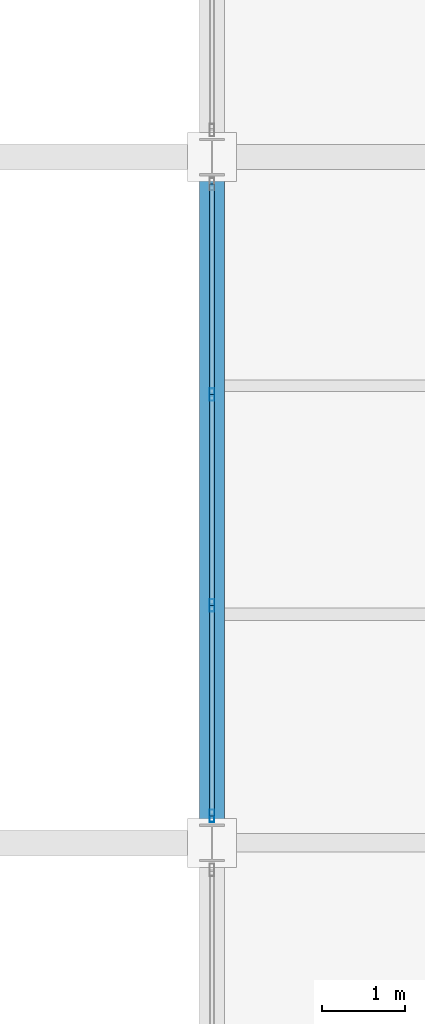
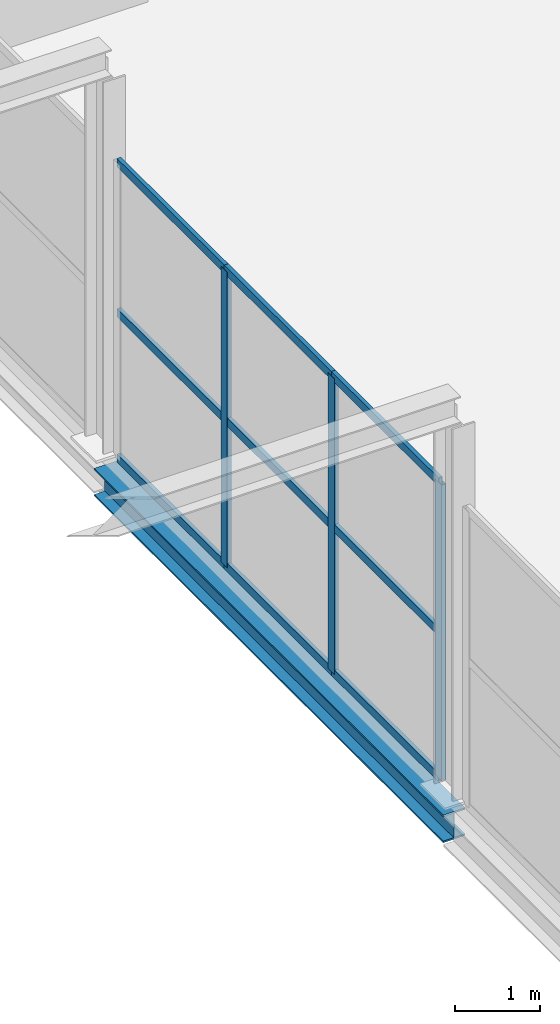
# One storey, part 22 of 147: 12 members, 1 beam, 1 element without a shape of its own.
"""IFC4 building model written with IfcOpenShell, lengths in metres."""

import ifcopenshell
import ifcopenshell.guid

model = None  # the IFC model being written
_history = None  # IfcOwnerHistory: only IFC2X3 demands one
_inside = {}  # id of a spatial element -> (the spatial element, [elements in it])
_under = {}  # id of a project, library or spatial element -> (it, [spatial elements below it])
_declared = {}  # id of a project -> (the project, [libraries it declares])
_typed = {}  # id of a type object -> (the type object, [elements of that type])
_made_of = {}  # id of a material, layer set ... -> (it, [elements and type objects made of it])


def new_model(schema):
    """Start an empty IFC model of exactly this schema.

    Asked for "IFC4X3", IfcOpenShell would pick the latest addendum, in which some entities
    have other attributes; the version numbers below select the first issue.
    IFC2X3 requires an IfcOwnerHistory on every rooted entity: one is made here for all.
    """
    global model, _history
    if schema == "IFC4X3":
        model = ifcopenshell.file(schema_version=(4, 3, 0, 0))
    else:
        model = ifcopenshell.file(schema=schema)
    _inside.clear()
    _under.clear()
    _declared.clear()
    _typed.clear()
    _made_of.clear()
    _history = None
    if model.schema == "IFC2X3":
        org = make("IfcOrganization", Name="unknown")
        user = make(
            "IfcPersonAndOrganization",
            ThePerson=make("IfcPerson", FamilyName="unknown"),
            TheOrganization=org,
        )
        app = make(
            "IfcApplication",
            ApplicationDeveloper=org,
            Version="unknown",
            ApplicationFullName="unknown",
            ApplicationIdentifier="unknown",
        )
        _history = make(
            "IfcOwnerHistory",
            OwningUser=user,
            OwningApplication=app,
            ChangeAction="ADDED",
            CreationDate=0,
        )
    return model


def make(cls, **values):
    """One entity of the class cls with the attributes given. An attribute that is None is left unset."""
    return model.create_entity(
        cls, **{name: value for name, value in values.items() if value is not None}
    )


def rooted(cls, **values):
    """An entity with a GlobalId (a new one), such as an element, a storey or a relation."""
    return make(cls, GlobalId=ifcopenshell.guid.new(), OwnerHistory=_history, **values)


def si_unit(unit_type, name, prefix=None):
    """IfcSIUnit, for example si_unit("LENGTHUNIT", "METRE", prefix="MILLI")."""
    return make("IfcSIUnit", UnitType=unit_type, Prefix=prefix, Name=name)


def assignment(units):
    """IfcUnitAssignment: the units of a project."""
    return None if units is None else make("IfcUnitAssignment", Units=units)


def point(xyz):
    """IfcCartesianPoint."""
    return None if xyz is None else make("IfcCartesianPoint", Coordinates=xyz)


def direction(xyz):
    """IfcDirection."""
    return None if xyz is None else make("IfcDirection", DirectionRatios=xyz)


def frame(location, z_axis=None, x_axis=None):
    """IfcAxis2Placement3D, a coordinate frame: its origin and axes. An axis left out is left unset."""
    return make(
        "IfcAxis2Placement3D",
        Location=point(location),
        Axis=direction(z_axis),
        RefDirection=direction(x_axis),
    )


def frame_2d(location, x_axis=None):
    """IfcAxis2Placement2D, a coordinate frame in the plane: its origin and x axis."""
    return make(
        "IfcAxis2Placement2D", Location=point(location), RefDirection=direction(x_axis)
    )


def origin():
    """The frame at (0, 0, 0) with its axes left unset."""
    return frame((0.0, 0.0, 0.0))


def origin_2d():
    """The frame at (0, 0) in the plane with its x axis left unset."""
    return frame_2d((0.0, 0.0))


def place(relative_to, where):
    """IfcLocalPlacement: puts the frame where relative to a parent placement (None: the world)."""
    return make(
        "IfcLocalPlacement", PlacementRelTo=relative_to, RelativePlacement=where
    )


def context(
    kind, dimensions, precision=None, world=None, true_north=None, identifier=None
):
    """IfcGeometricRepresentationContext, for example the 3D "Model" context."""
    return make(
        "IfcGeometricRepresentationContext",
        ContextIdentifier=identifier,
        ContextType=kind,
        CoordinateSpaceDimension=dimensions,
        Precision=precision,
        WorldCoordinateSystem=world,
        TrueNorth=true_north,
    )


def subcontext(parent, identifier, kind, view, scale=None):
    """IfcGeometricRepresentationSubContext, for example "Body" below "Model"."""
    return make(
        "IfcGeometricRepresentationSubContext",
        ContextIdentifier=identifier,
        ContextType=kind,
        ParentContext=parent,
        TargetScale=scale,
        TargetView=view,
    )


def project(units=None, contexts=None):
    """IfcProject with its units and contexts."""
    return rooted(
        "IfcProject",
        Name="project",
        RepresentationContexts=contexts,
        UnitsInContext=assignment(units),
    )


def spatial(cls, under=None, at=None, **own):
    """A site, building, storey or space (cls), placed at a placement, below another one or the project."""
    s = rooted(cls, ObjectPlacement=at, **own)
    if under is not None:
        _under.setdefault(under.id(), (under, []))[1].append(s)
    return s


def profile(cls, at=None, kind="AREA", **sizes):
    """A parametric profile (cls). Its sizes go by their IFC names, for example OverallWidth=200.0."""
    return make(cls, ProfileType=kind, Position=at, **sizes)


def hollow_rectangle(**sizes):
    """IfcRectangleHollowProfileDef."""
    return profile("IfcRectangleHollowProfileDef", **sizes)


def i_section(**sizes):
    """IfcIShapeProfileDef."""
    return profile("IfcIShapeProfileDef", **sizes)


def extrude(swept, where, along, depth):
    """IfcExtrudedAreaSolid: the profile swept, set in the frame where, extruded along a direction by depth."""
    return make(
        "IfcExtrudedAreaSolid",
        SweptArea=swept,
        Position=where,
        ExtrudedDirection=direction(along),
        Depth=depth,
    )


def shape(context_of_items, identifier, shape_type, items):
    """IfcShapeRepresentation: the items that make up one representation, for example the "Body"."""
    return make(
        "IfcShapeRepresentation",
        ContextOfItems=context_of_items,
        RepresentationIdentifier=identifier,
        RepresentationType=shape_type,
        Items=items,
    )


def material(Name=None, Category=None):
    """IfcMaterial."""
    return make("IfcMaterial", Name=Name, Category=Category)


def layer(
    of_material, thickness, ventilated=None, Name=None, Category=None, Priority=None
):
    """IfcMaterialLayer: one layer of a wall or slab, of a material (None: an air gap)."""
    return make(
        "IfcMaterialLayer",
        Material=of_material,
        LayerThickness=thickness,
        IsVentilated=ventilated,
        Name=Name,
        Category=Category,
        Priority=Priority,
    )


def layer_set(layers, Name=None):
    """IfcMaterialLayerSet."""
    return make("IfcMaterialLayerSet", MaterialLayers=layers, LayerSetName=Name)


def material_profile(
    of_material, cross_section, Name=None, Category=None, Priority=None
):
    """IfcMaterialProfile: a cross section and its material."""
    return make(
        "IfcMaterialProfile",
        Name=Name,
        Material=of_material,
        Profile=cross_section,
        Priority=Priority,
        Category=Category,
    )


def profile_set(profiles, Name=None, composite=None):
    """IfcMaterialProfileSet."""
    return make(
        "IfcMaterialProfileSet",
        Name=Name,
        MaterialProfiles=profiles,
        CompositeProfile=composite,
    )


def made_of(thing, what):
    """Note that an element or type object is made of a material, layer set ...; save() writes the relation."""
    if what is not None:
        _made_of.setdefault(what.id(), (what, []))[1].append(thing)
    return thing


def type_object(cls, material=None, **own):
    """A type object (cls), such as IfcWallType, which elements share."""
    return made_of(rooted(cls, **own), material)


def element(
    cls,
    number,
    at=None,
    inside=None,
    cuts=None,
    type_object=None,
    material=None,
    context=None,
    identifier="Body",
    shape_type=None,
    held_by="IfcProductDefinitionShape",
    body=None,
    shapes=None,
    **own,
):
    """One element of the class cls, such as IfcWall. Its Tag is "e" and its number.

    at: its placement. inside: the storey or other place that contains it. cuts: it is an
    opening in that element (IfcRelVoidsElement). A single representation is given by context,
    identifier, shape_type and body (its items); several are given by shapes. held_by: the class
    of the entity that holds the representations. save() writes the other relations.
    """
    e = rooted(cls, Tag="e%d" % number, ObjectPlacement=at, **own)
    if body is not None:
        shapes = [shape(context, identifier, shape_type, body)]
    if shapes is not None:
        e.Representation = make(held_by, Representations=shapes)
    if inside is not None:
        _inside.setdefault(inside.id(), (inside, []))[1].append(e)
    if cuts is not None:
        rooted(
            "IfcRelVoidsElement", RelatingBuildingElement=cuts, RelatedOpeningElement=e
        )
    if type_object is not None:
        _typed.setdefault(type_object.id(), (type_object, []))[1].append(e)
    return made_of(e, material)


def aggregate(whole, parts):
    """IfcRelAggregates: a whole, such as a stair, and the parts it consists of."""
    return rooted("IfcRelAggregates", RelatingObject=whole, RelatedObjects=parts)


def save(model, path):
    """Write the relations noted so far, then the file.

    IfcRelAggregates (storeys below a building ...), IfcRelContainedInSpatialStructure (elements
    in a storey), IfcRelDefinesByType, IfcRelAssociatesMaterial and IfcRelDeclares: one each for
    every whole, place, type object, material and project.
    """
    for whole, parts in _under.values():
        aggregate(whole, parts)
    for where, things in _inside.values():
        rooted(
            "IfcRelContainedInSpatialStructure",
            RelatedElements=things,
            RelatingStructure=where,
        )
    for kind, things in _typed.values():
        rooted("IfcRelDefinesByType", RelatedObjects=things, RelatingType=kind)
    for what, things in _made_of.values():
        rooted("IfcRelAssociatesMaterial", RelatedObjects=things, RelatingMaterial=what)
    for by, libraries in _declared.values():
        rooted("IfcRelDeclares", RelatingContext=by, RelatedDefinitions=libraries)
    model.write(path)


model = new_model("IFC4")

# Units and contexts
model_context = context("Model", 3, precision=1e-05, world=origin(), true_north=direction((0.0, 1.0)))
body_context = subcontext(model_context, "Body", "Model", "MODEL_VIEW")
ifc_project = project(units=[si_unit("LENGTHUNIT", "METRE"), si_unit("AREAUNIT", "SQUARE_METRE"), si_unit("VOLUMEUNIT", "CUBIC_METRE"), si_unit("PLANEANGLEUNIT", "RADIAN"), si_unit("MASSUNIT", "GRAM", prefix="KILO")], contexts=[model_context])

# Site, building, storey
site_placement = place(None, origin())
site = spatial("IfcSite", under=ifc_project, at=site_placement, CompositionType="ELEMENT")
building_placement = place(site_placement, origin())
building = spatial("IfcBuilding", under=site, at=building_placement, Name="Sundgate Opera House", CompositionType="ELEMENT")
storey_placement = place(building_placement, frame((0.0, 0.0, 6.0)))
storey = spatial("IfcBuildingStorey", under=building, at=storey_placement, Name="L01", CompositionType="ELEMENT", Elevation=6.0)

# Beam
ifc_material_1 = material(Name="Steel S355J2", Category="steel")
ifc_material_profile_1 = material_profile(ifc_material_1, i_section(OverallWidth=0.300048828125, OverallDepth=0.39990234375, WebThickness=0.013427734375, FlangeThickness=0.02392578125, at=origin_2d()), Name="HEB 400")
ifc_profile_set_1 = profile_set([ifc_material_profile_1], Name="Steel S355J2")
beam_type = type_object("IfcBeamType", Name="BM-GR-HEB400", PredefinedType="BEAM", material=ifc_profile_set_1)
beam_placement = place(storey_placement, frame((95.39990234375, 8.25, -0.5), z_axis=(0.0, 1.0, 0.0), x_axis=(-1.0, 0.0, 0.0)))
element("IfcBeam", 1, at=beam_placement, inside=storey, type_object=beam_type, Name="L01 Primary N-S Girder B1144", PredefinedType="BEAM", context=body_context, shape_type="SweptSolid", body=[
    extrude(i_section(OverallWidth=0.300048828125, OverallDepth=0.39990234375, WebThickness=0.013427734375, FlangeThickness=0.02392578125, at=origin_2d()), origin(), (0.0, 0.0, 1.0), 8.25),
])

# Curtain wall, members
ifc_material_2 = material(Name="Anodized aluminium and low-iron glass", Category="aluminium")
ifc_layer = layer(ifc_material_2, 0.14990234375)
ifc_layer_set = layer_set([ifc_layer], Name="Anodized aluminium and low-iron glass")
curtain_wall_type = type_object("IfcCurtainWallType", Name="CW-WORKSHOP-DARK", PredefinedType="NOTDEFINED", material=ifc_layer_set)
curtain_wall_placement = place(storey_placement, origin())
curtain_wall = element("IfcCurtainWall", 2, at=curtain_wall_placement, inside=storey, type_object=curtain_wall_type, Name="L01 Curtain Wall CW145", PredefinedType="NOTDEFINED")
ifc_material_3 = material(Name="Anodized aluminium EN AW-6063", Category="aluminium")
ifc_material_profile_2 = material_profile(ifc_material_3, hollow_rectangle(XDim=0.06005859375, YDim=0.14990234375, WallThickness=0.00390625, at=origin_2d()), Name="CWM 150x60x4")
ifc_profile_set_2 = profile_set([ifc_material_profile_2], Name="Anodized aluminium EN AW-6063")
member_type_1 = type_object("IfcMemberType", Name="CWM-ALU-150x60", PredefinedType="MULLION", material=ifc_profile_set_2)
member_1_placement = place(storey_placement, frame((95.39990234375, 13.6416015625, 0.0), z_axis=(0.0, 0.0, 1.0), x_axis=(1.0, 0.0, 0.0)))
member_1 = element("IfcMember", 3, at=member_1_placement, type_object=member_type_1, Name="CW145 Mullion 2", PredefinedType="MULLION", context=body_context, shape_type="SweptSolid", body=[
    extrude(hollow_rectangle(XDim=0.06005859375, YDim=0.14990234375, WallThickness=0.00390625, at=origin_2d()), origin(), (0.0, 0.0, 1.0), 4.264892578125),
])
member_2_placement = place(storey_placement, frame((95.39990234375, 11.1083984375, 0.0), z_axis=(0.0, 0.0, 1.0), x_axis=(1.0, 0.0, 0.0)))
member_2 = element("IfcMember", 4, at=member_2_placement, type_object=member_type_1, Name="CW145 Mullion 3", PredefinedType="MULLION", context=body_context, shape_type="SweptSolid", body=[
    extrude(hollow_rectangle(XDim=0.06005859375, YDim=0.14990234375, WallThickness=0.00390625, at=origin_2d()), origin(), (0.0, 0.0, 1.0), 4.264892578125),
])
member_3_placement = place(storey_placement, frame((95.39990234375, 8.574951171875, 0.0), z_axis=(0.0, 0.0, 1.0), x_axis=(1.0, 0.0, 0.0)))
member_3 = element("IfcMember", 5, at=member_3_placement, type_object=member_type_1, Name="CW145 Mullion 4", PredefinedType="MULLION", context=body_context, shape_type="SweptSolid", body=[
    extrude(hollow_rectangle(XDim=0.06005859375, YDim=0.14990234375, WallThickness=0.00390625, at=origin_2d()), origin(), (0.0, 0.0, 1.0), 4.264892578125),
])
ifc_material_4 = material(Name="Anodized aluminium EN AW-6063", Category="aluminium")
ifc_material_profile_3 = material_profile(ifc_material_4, hollow_rectangle(XDim=0.054931640625, YDim=0.1201171875, WallThickness=0.00390625, at=origin_2d()), Name="CWT 120x55x4")
ifc_profile_set_3 = profile_set([ifc_material_profile_3], Name="Anodized aluminium EN AW-6063")
member_type_2 = type_object("IfcMemberType", Name="CWT-ALU-120x55", PredefinedType="USERDEFINED", material=ifc_profile_set_3)
member_4_placement = place(storey_placement, frame((95.39990234375, 16.175048828125, 0.0), z_axis=(0.0, -1.0, 0.0), x_axis=(1.0, 0.0, 0.0)))
member_4 = element("IfcMember", 6, at=member_4_placement, type_object=member_type_2, Name="CW145 Transom 1", ObjectType="TRANSOM", PredefinedType="USERDEFINED", context=body_context, shape_type="SweptSolid", body=[
    extrude(hollow_rectangle(XDim=0.054931640625, YDim=0.1201171875, WallThickness=0.00390625, at=origin_2d()), origin(), (0.0, 0.0, 1.0), 2.533447265625),
])
member_5_placement = place(storey_placement, frame((95.39990234375, 16.175048828125, 2.10009765625), z_axis=(0.0, -1.0, 0.0), x_axis=(1.0, 0.0, 0.0)))
member_5 = element("IfcMember", 7, at=member_5_placement, type_object=member_type_2, Name="CW145 Transom 2", ObjectType="TRANSOM", PredefinedType="USERDEFINED", context=body_context, shape_type="SweptSolid", body=[
    extrude(hollow_rectangle(XDim=0.054931640625, YDim=0.1201171875, WallThickness=0.00390625, at=origin_2d()), origin(), (0.0, 0.0, 1.0), 2.533447265625),
])
member_6_placement = place(storey_placement, frame((95.39990234375, 16.175048828125, 4.264892578125), z_axis=(0.0, -1.0, 0.0), x_axis=(1.0, 0.0, 0.0)))
member_6 = element("IfcMember", 8, at=member_6_placement, type_object=member_type_2, Name="CW145 Transom 3", ObjectType="TRANSOM", PredefinedType="USERDEFINED", context=body_context, shape_type="SweptSolid", body=[
    extrude(hollow_rectangle(XDim=0.054931640625, YDim=0.1201171875, WallThickness=0.00390625, at=origin_2d()), origin(), (0.0, 0.0, 1.0), 2.533447265625),
])
member_7_placement = place(storey_placement, frame((95.39990234375, 13.6416015625, 0.0), z_axis=(0.0, -1.0, 0.0), x_axis=(1.0, 0.0, 0.0)))
member_7 = element("IfcMember", 9, at=member_7_placement, type_object=member_type_2, Name="CW145 Transom 4", ObjectType="TRANSOM", PredefinedType="USERDEFINED", context=body_context, shape_type="SweptSolid", body=[
    extrude(hollow_rectangle(XDim=0.054931640625, YDim=0.1201171875, WallThickness=0.00390625, at=origin_2d()), origin(), (0.0, 0.0, 1.0), 2.533203125),
])
member_8_placement = place(storey_placement, frame((95.39990234375, 13.6416015625, 2.10009765625), z_axis=(0.0, -1.0, 0.0), x_axis=(1.0, 0.0, 0.0)))
member_8 = element("IfcMember", 10, at=member_8_placement, type_object=member_type_2, Name="CW145 Transom 5", ObjectType="TRANSOM", PredefinedType="USERDEFINED", context=body_context, shape_type="SweptSolid", body=[
    extrude(hollow_rectangle(XDim=0.054931640625, YDim=0.1201171875, WallThickness=0.00390625, at=origin_2d()), origin(), (0.0, 0.0, 1.0), 2.533203125),
])
member_9_placement = place(storey_placement, frame((95.39990234375, 13.6416015625, 4.264892578125), z_axis=(0.0, -1.0, 0.0), x_axis=(1.0, 0.0, 0.0)))
member_9 = element("IfcMember", 11, at=member_9_placement, type_object=member_type_2, Name="CW145 Transom 6", ObjectType="TRANSOM", PredefinedType="USERDEFINED", context=body_context, shape_type="SweptSolid", body=[
    extrude(hollow_rectangle(XDim=0.054931640625, YDim=0.1201171875, WallThickness=0.00390625, at=origin_2d()), origin(), (0.0, 0.0, 1.0), 2.533203125),
])
member_10_placement = place(storey_placement, frame((95.39990234375, 11.1083984375, 0.0), z_axis=(0.0, -1.0, 0.0), x_axis=(1.0, 0.0, 0.0)))
member_10 = element("IfcMember", 12, at=member_10_placement, type_object=member_type_2, Name="CW145 Transom 7", ObjectType="TRANSOM", PredefinedType="USERDEFINED", context=body_context, shape_type="SweptSolid", body=[
    extrude(hollow_rectangle(XDim=0.054931640625, YDim=0.1201171875, WallThickness=0.00390625, at=origin_2d()), origin(), (0.0, 0.0, 1.0), 2.533447265625),
])
member_11_placement = place(storey_placement, frame((95.39990234375, 11.1083984375, 2.10009765625), z_axis=(0.0, -1.0, 0.0), x_axis=(1.0, 0.0, 0.0)))
member_11 = element("IfcMember", 13, at=member_11_placement, type_object=member_type_2, Name="CW145 Transom 8", ObjectType="TRANSOM", PredefinedType="USERDEFINED", context=body_context, shape_type="SweptSolid", body=[
    extrude(hollow_rectangle(XDim=0.054931640625, YDim=0.1201171875, WallThickness=0.00390625, at=origin_2d()), origin(), (0.0, 0.0, 1.0), 2.533447265625),
])
member_12_placement = place(storey_placement, frame((95.39990234375, 11.1083984375, 4.264892578125), z_axis=(0.0, -1.0, 0.0), x_axis=(1.0, 0.0, 0.0)))
member_12 = element("IfcMember", 14, at=member_12_placement, type_object=member_type_2, Name="CW145 Transom 9", ObjectType="TRANSOM", PredefinedType="USERDEFINED", context=body_context, shape_type="SweptSolid", body=[
    extrude(hollow_rectangle(XDim=0.054931640625, YDim=0.1201171875, WallThickness=0.00390625, at=origin_2d()), origin(), (0.0, 0.0, 1.0), 2.533447265625),
])
aggregate(curtain_wall, [member_1, member_2, member_3, member_4, member_5, member_6, member_7, member_8, member_9, member_10, member_11, member_12])

save(model, "model.ifc")
